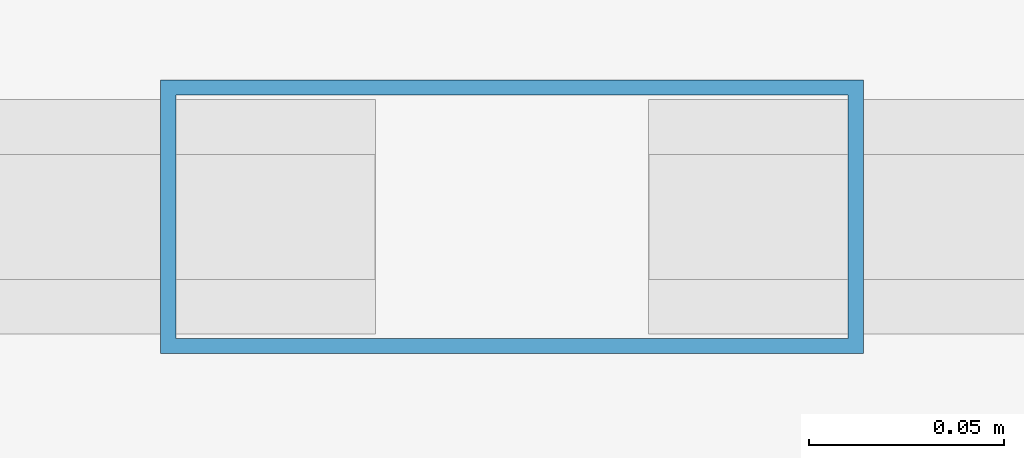
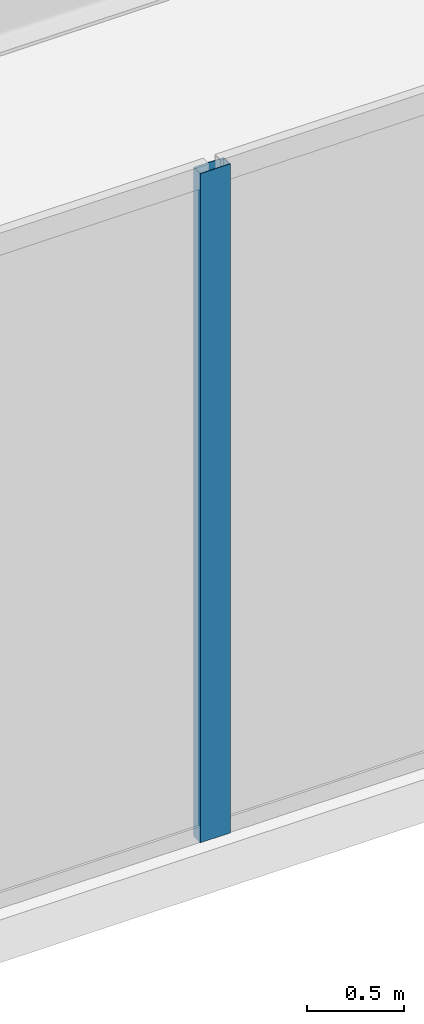
# One storey, part 12 of 28: 1 member, 1 element without a shape of its own.
"""IFC4 building model written with IfcOpenShell, lengths in metres."""

from ifc_helpers import new_model, si_unit, direction, frame, origin, origin_2d, place, context, subcontext, project, spatial, hollow_rectangle, extrude, material, layer, layer_set, material_profile, profile_set, type_object, element, aggregate, save


model = new_model("IFC4")

# Units and contexts
model_context = context("Model", 3, precision=1e-05, world=origin(), true_north=direction((0.0, 1.0)))
body_context = subcontext(model_context, "Body", "Model", "MODEL_VIEW")
ifc_project = project(units=[si_unit("LENGTHUNIT", "METRE"), si_unit("AREAUNIT", "SQUARE_METRE"), si_unit("VOLUMEUNIT", "CUBIC_METRE"), si_unit("PLANEANGLEUNIT", "RADIAN"), si_unit("MASSUNIT", "GRAM", prefix="KILO")], contexts=[model_context])

# Site, building, storey
site_placement = place(None, origin())
site = spatial("IfcSite", under=ifc_project, at=site_placement, CompositionType="ELEMENT")
building_placement = place(site_placement, origin())
building = spatial("IfcBuilding", under=site, at=building_placement, Name="Kravanh Interchange Tower", CompositionType="ELEMENT")
storey_placement = place(building_placement, frame((0.0, 0.0, 10.800048828125)))
storey = spatial("IfcBuildingStorey", under=building, at=storey_placement, Name="L02", CompositionType="ELEMENT", Elevation=10.800048828125)

# Curtain wall, member
ifc_material_1 = material(Name="Anodised Bronze Aluminium", Category="aluminium")
ifc_layer = layer(ifc_material_1, 0.179931640625)
ifc_layer_set = layer_set([ifc_layer], Name="Unitised Curtain Wall System CW-POD Podium Concourse")
curtain_wall_type = type_object("IfcCurtainWallType", Name="Unitised Curtain Wall System CW-POD Podium Concourse", PredefinedType="NOTDEFINED", material=ifc_layer_set)
curtain_wall_placement = place(storey_placement, origin())
curtain_wall = element("IfcCurtainWall", 1, at=curtain_wall_placement, inside=storey, type_object=curtain_wall_type, Name="L02 Unitised Curtain Wall CW-L02-04", PredefinedType="NOTDEFINED")
ifc_material_2 = material(Name="Anodised Bronze Aluminium", Category="aluminium")
ifc_material_profile = material_profile(ifc_material_2, hollow_rectangle(XDim=0.070068359375, YDim=0.179931640625, WallThickness=0.00390625, at=origin_2d()), Name="ALU70X180X4")
ifc_profile_set = profile_set([ifc_material_profile], Name="Anodised Bronze Aluminium")
member_type = type_object("IfcMemberType", Name="Curtain Wall Mullion ALU70X180X4 Bronze", PredefinedType="MULLION", material=ifc_profile_set)
member_placement = place(storey_placement, frame((34.357666015625, 0.1201171875, 0.0), z_axis=(0.0, 0.0, 1.0), x_axis=(0.0, -1.0, 0.0)))
member = element("IfcMember", 2, at=member_placement, type_object=member_type, Name="CW-POD mullion 8", PredefinedType="MULLION", context=body_context, shape_type="SweptSolid", body=[
    extrude(hollow_rectangle(XDim=0.070068359375, YDim=0.179931640625, WallThickness=0.00390625, at=origin_2d()), origin(), (0.0, 0.0, 1.0), 4.22998046875),
])
aggregate(curtain_wall, [member])

save(model, "model.ifc")
